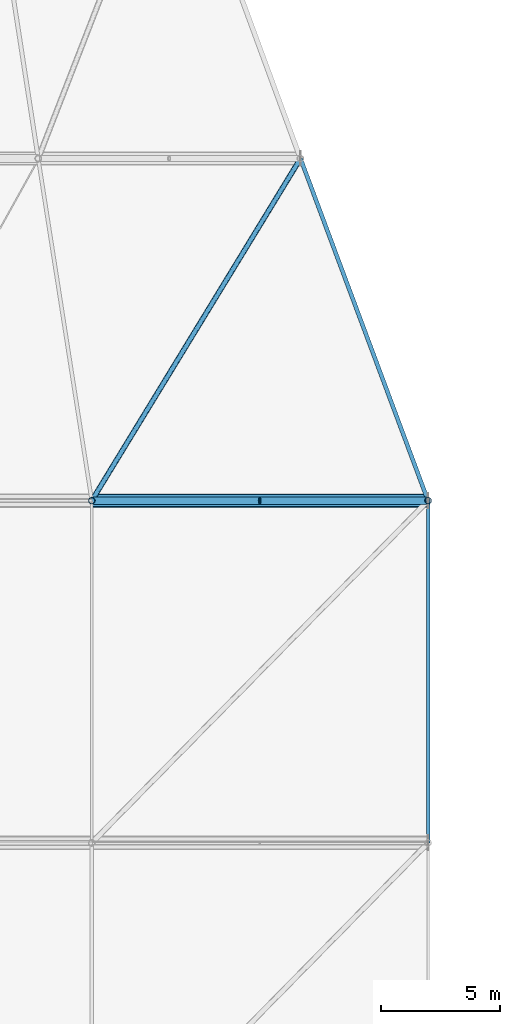
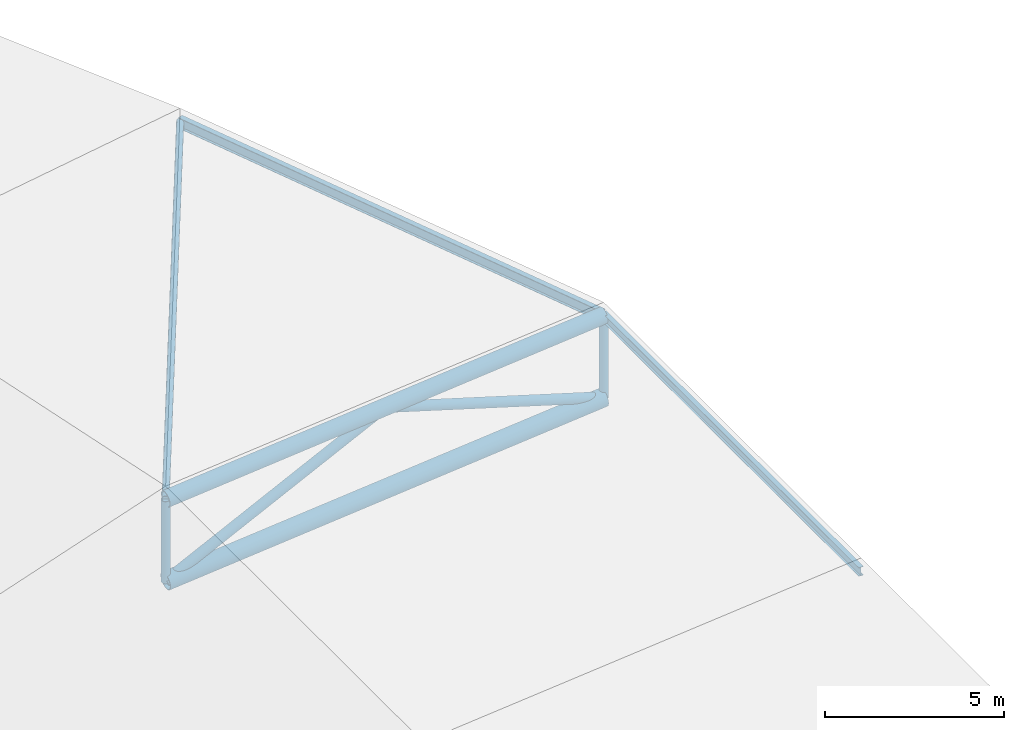
# One storey, part 13 of 36: 9 members.
"""IFC4 building model written with IfcOpenShell, lengths in metres."""

from ifc_helpers import new_model, si_unit, direction, frame, origin, origin_2d, place, context, subcontext, project, spatial, hollow_circle, i_section, extrude, material, material_profile, profile_set, type_object, element, save


model = new_model("IFC4")

# Units and contexts
model_context = context("Model", 3, precision=1e-05, world=origin(), true_north=direction((0.0, 1.0)))
body_context = subcontext(model_context, "Body", "Model", "MODEL_VIEW")
ifc_project = project(units=[si_unit("LENGTHUNIT", "METRE"), si_unit("AREAUNIT", "SQUARE_METRE"), si_unit("VOLUMEUNIT", "CUBIC_METRE"), si_unit("PLANEANGLEUNIT", "RADIAN"), si_unit("MASSUNIT", "GRAM", prefix="KILO")], contexts=[model_context])

# Site, building, storey
site_placement = place(None, origin())
site = spatial("IfcSite", under=ifc_project, at=site_placement, CompositionType="ELEMENT")
building_placement = place(site_placement, origin())
building = spatial("IfcBuilding", under=site, at=building_placement, Name="Koshinbarg Plaza Stadium", CompositionType="ELEMENT")
storey_placement = place(building_placement, frame((0.0, 0.0, 34.199951171875)))
storey = spatial("IfcBuildingStorey", under=building, at=storey_placement, Name="RF", CompositionType="ELEMENT", Elevation=34.199951171875)

# Members
ifc_material = material(Name="Steel S355", Category="steel")
ifc_material_profile_1 = material_profile(ifc_material, hollow_circle(Radius=0.279541015625, WallThickness=0.022216796875, at=origin_2d()), Name="CHS 559x22.2")
ifc_profile_set_1 = profile_set([ifc_material_profile_1], Name="Steel S355")
member_type_1 = type_object("IfcMemberType", Name="MB-ARCH-BOT", PredefinedType="CHORD", material=ifc_profile_set_1)
member_1_placement = place(storey_placement, frame((64.847900390625, 97.5, 3.4208984375), z_axis=(0.995642851387, 0.0, 0.093248659413), x_axis=(0.0, 1.0, 0.0)))
element("IfcMember", 1, at=member_1_placement, inside=storey, type_object=member_type_1, Name="Quarter-barrel roof truss bottom chord WRB-06-4", PredefinedType="CHORD", context=body_context, shape_type="SweptSolid", body=[
    extrude(hollow_circle(Radius=0.279541015625, WallThickness=0.022216796875, at=origin_2d()), origin(), (0.0, 0.0, 1.0), 14.214111328125),
])
ifc_material_profile_2 = material_profile(ifc_material, hollow_circle(Radius=0.25390625, WallThickness=0.02001953125, at=origin_2d()), Name="CHS 508x20")
ifc_profile_set_2 = profile_set([ifc_material_profile_2], Name="Steel S355")
member_type_2 = type_object("IfcMemberType", Name="MB-ARCH-TOP", PredefinedType="CHORD", material=ifc_profile_set_2)
member_2_placement = place(storey_placement, frame((64.847900390625, 97.5, 6.220947265625), z_axis=(0.995642851387, 0.0, 0.093248659413), x_axis=(0.0, 1.0, 0.0)))
element("IfcMember", 2, at=member_2_placement, inside=storey, type_object=member_type_2, Name="Quarter-barrel roof truss top chord WRB-06-4", PredefinedType="CHORD", context=body_context, shape_type="SweptSolid", body=[
    extrude(hollow_circle(Radius=0.25390625, WallThickness=0.02001953125, at=origin_2d()), origin(), (0.0, 0.0, 1.0), 14.214111328125),
])
ifc_material_profile_3 = material_profile(ifc_material, hollow_circle(Radius=0.161865234375, WallThickness=0.01416015625, at=origin_2d()), Name="CHS 323.9x14.2")
ifc_profile_set_3 = profile_set([ifc_material_profile_3], Name="Steel S355")
member_type_3 = type_object("IfcMemberType", Name="MB-BRACE-01", PredefinedType="BRACE", material=ifc_profile_set_3)
member_3_placement = place(storey_placement, frame((64.847900390625, 97.5, 3.4208984375), z_axis=(0.898224792069, 0.0, 0.439536372685), x_axis=(0.0, 1.0, 0.0)))
element("IfcMember", 3, at=member_3_placement, inside=storey, type_object=member_type_3, Name="Quarter-barrel roof truss web diagonal WRB-06-4A", PredefinedType="BRACE", context=body_context, shape_type="SweptSolid", body=[
    extrude(hollow_circle(Radius=0.161865234375, WallThickness=0.01416015625, at=origin_2d()), origin(), (0.0, 0.0, 1.0), 7.8779296875),
])
member_4_placement = place(storey_placement, frame((71.924072265625, 97.5, 6.883544921875), z_axis=(0.957287355099, 0.0, -0.289138236433), x_axis=(0.0, 1.0, 0.0)))
element("IfcMember", 4, at=member_4_placement, inside=storey, type_object=member_type_3, Name="Quarter-barrel roof truss web diagonal WRB-06-4B", PredefinedType="BRACE", context=body_context, shape_type="SweptSolid", body=[
    extrude(hollow_circle(Radius=0.161865234375, WallThickness=0.01416015625, at=origin_2d()), origin(), (0.0, 0.0, 1.0), 7.3916015625),
])
ifc_material_profile_4 = material_profile(ifc_material, hollow_circle(Radius=0.136474609375, WallThickness=0.012451171875, at=origin_2d()), Name="CHS 273x12.5")
ifc_profile_set_4 = profile_set([ifc_material_profile_4], Name="Steel S355")
member_type_4 = type_object("IfcMemberType", Name="MB-BRACE-02", PredefinedType="BRACE", material=ifc_profile_set_4)
for number, where, z_axis, x_axis, name in (
    (5, (64.847900390625, 97.5, 3.4208984375), (0.0, 0.0, 1.0), (1.0, 0.0, 0.0), "Quarter-barrel roof truss post WRB-06-4"),
    (6, (79.0, 97.5, 4.746337890625), (0.0, 0.0, 1.0), (1.0, 0.0, 0.0), "Quarter-barrel roof truss post WRB-06-5"),
):
    element("IfcMember", number, at=place(storey_placement, frame(where, z_axis=z_axis, x_axis=x_axis)), inside=storey, type_object=member_type_4, Name=name, PredefinedType="BRACE", context=body_context, shape_type="SweptSolid", body=[
        extrude(hollow_circle(Radius=0.136474609375, WallThickness=0.012451171875, at=origin_2d()), origin(), (0.0, 0.0, 1.0), 2.800048828125),
    ])
ifc_material_profile_5 = material_profile(ifc_material, hollow_circle(Radius=0.109619140625, WallThickness=0.010009765625, at=origin_2d()), Name="CHS 219.1x10")
ifc_profile_set_5 = profile_set([ifc_material_profile_5], Name="Steel S355")
member_type_5 = type_object("IfcMemberType", Name="MB-BRACE-03", PredefinedType="BRACE", material=ifc_profile_set_5)
member_5_placement = place(storey_placement, frame((64.847900390625, 97.5, 6.220947265625), z_axis=(0.519668918426, 0.851893055771, 0.064980279711), x_axis=(-0.853697303801, 0.520769539703, 0.0)))
element("IfcMember", 7, at=member_5_placement, inside=storey, type_object=member_type_5, Name="Roof plan wind brace west bay 6.4", PredefinedType="BRACE", context=body_context, shape_type="SweptSolid", body=[
    extrude(hollow_circle(Radius=0.109619140625, WallThickness=0.010009765625, at=origin_2d()), origin(), (0.0, 0.0, 1.0), 16.9033203125),
])
ifc_material_profile_6 = material_profile(ifc_material, i_section(OverallWidth=0.14990234375, OverallDepth=0.300048828125, WebThickness=0.007080078125, FlangeThickness=0.0107421875, at=origin_2d()), Name="IPE 300")
ifc_profile_set_6 = profile_set([ifc_material_profile_6], Name="Steel S355")
member_type_6 = type_object("IfcMemberType", Name="MB-PURL-04", PredefinedType="PURLIN", material=ifc_profile_set_6)
member_6_placement = place(storey_placement, frame((79.0, 83.10009765625, 7.5263671875), z_axis=(0.0, 1.0, 0.0), x_axis=(-1.0, 0.0, 0.0)))
element("IfcMember", 8, at=member_6_placement, inside=storey, type_object=member_type_6, Name="Roof longitudinal purlin west bay 5.5", PredefinedType="PURLIN", context=body_context, shape_type="SweptSolid", body=[
    extrude(i_section(OverallWidth=0.14990234375, OverallDepth=0.300048828125, WebThickness=0.007080078125, FlangeThickness=0.0107421875, at=origin_2d()), origin(), (0.0, 0.0, 1.0), 14.39990234375),
])
ifc_material_profile_7 = material_profile(ifc_material, i_section(OverallWidth=0.169921875, OverallDepth=0.360107421875, WebThickness=0.008056640625, FlangeThickness=0.0126953125, at=origin_2d()), Name="IPE 360")
ifc_profile_set_7 = profile_set([ifc_material_profile_7], Name="Steel S355")
member_type_7 = type_object("IfcMemberType", Name="MB-PURL-05", PredefinedType="PURLIN", material=ifc_profile_set_7)
member_7_placement = place(storey_placement, frame((79.0, 97.5, 7.5263671875), z_axis=(-0.349256629702, 0.936910653255, -0.014772759614), x_axis=(-0.93701290307, -0.349294745851, 0.0)))
element("IfcMember", 9, at=member_7_placement, inside=storey, type_object=member_type_7, Name="Roof longitudinal purlin west bay 6.5", PredefinedType="PURLIN", context=body_context, shape_type="SweptSolid", body=[
    extrude(i_section(OverallWidth=0.169921875, OverallDepth=0.360107421875, WebThickness=0.008056640625, FlangeThickness=0.0126953125, at=origin_2d()), origin(), (0.0, 0.0, 1.0), 15.36962890625),
])

save(model, "model.ifc")
